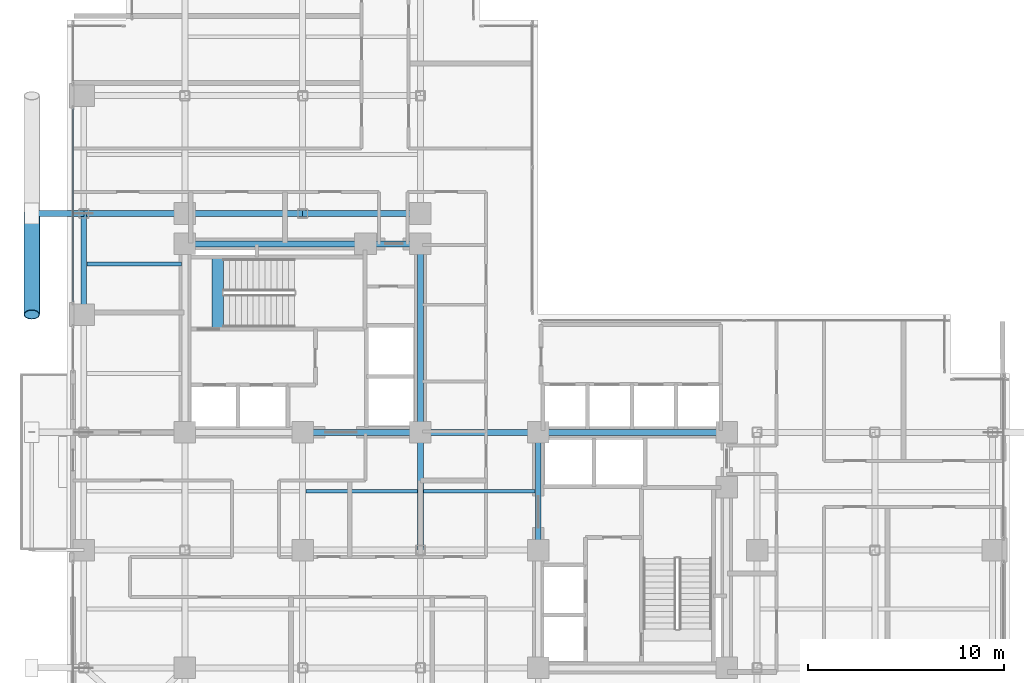
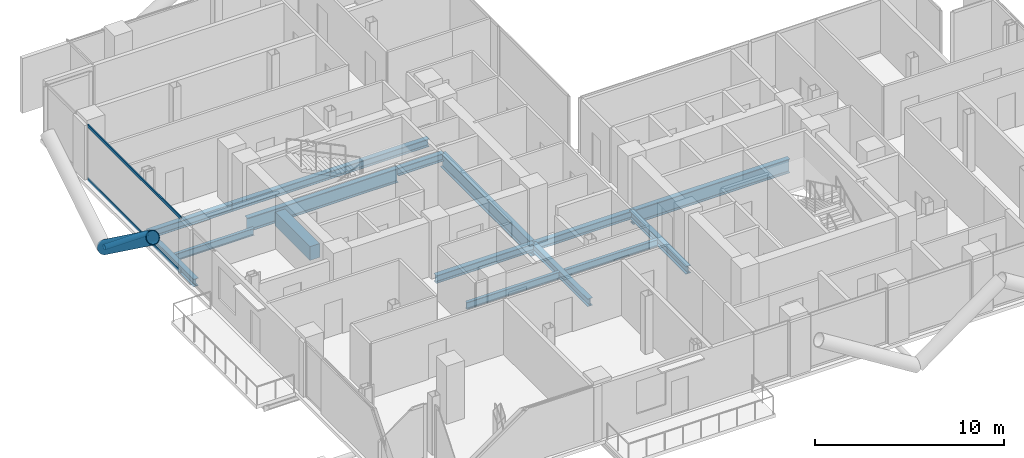
# One storey, part 7 of 24: 16 beams, 4 members, 1 element without a shape of its own.
"""IFC4 building model written with IfcOpenShell, lengths in metres."""

from ifc_helpers import new_model, si_unit, direction, frame, origin, origin_2d, place, context, subcontext, project, spatial, rectangle, hollow_rectangle, hollow_circle, i_section, extrude, material, layer, layer_set, material_profile, profile_set, type_object, element, aggregate, save


model = new_model("IFC4")

# Units and contexts
model_context = context("Model", 3, precision=1e-05, world=origin(), true_north=direction((0.0, 1.0)))
body_context = subcontext(model_context, "Body", "Model", "MODEL_VIEW")
ifc_project = project(units=[si_unit("LENGTHUNIT", "METRE"), si_unit("AREAUNIT", "SQUARE_METRE"), si_unit("VOLUMEUNIT", "CUBIC_METRE"), si_unit("PLANEANGLEUNIT", "RADIAN"), si_unit("MASSUNIT", "GRAM", prefix="KILO"), si_unit("THERMODYNAMICTEMPERATUREUNIT", "KELVIN"), si_unit("POWERUNIT", "WATT")], contexts=[model_context])

# Site, building, storey
site_placement = place(None, origin())
site = spatial("IfcSite", under=ifc_project, at=site_placement, CompositionType="ELEMENT")
building_placement = place(site_placement, origin())
building = spatial("IfcBuilding", under=site, at=building_placement, Name="Svarakhadi Broadcast Tower", CompositionType="ELEMENT")
storey_placement = place(building_placement, frame((0.0, 0.0, 126.89990234375)))
storey = spatial("IfcBuildingStorey", under=building, at=storey_placement, Name="L30", CompositionType="ELEMENT", Elevation=126.89990234375)

# Beams
ifc_material_1 = material(Name="Steel S355J2 (IS 2062 E350C)", Category="steel")
ifc_material_profile_1 = material_profile(ifc_material_1, i_section(OverallWidth=0.18994140625, OverallDepth=0.449951171875, WebThickness=0.009521484375, FlangeThickness=0.0146484375, FilletRadius=0.02099609375, at=origin_2d()), Name="NPB 450x190x78")
ifc_profile_set_1 = profile_set([ifc_material_profile_1], Name="Steel S355J2 (IS 2062 E350C)")
beam_type_1 = type_object("IfcBeamType", Name="Beam_NPB450", PredefinedType="BEAM", material=ifc_profile_set_1)
beam_1_placement = place(storey_placement, frame((1.010009765625, 26.574951171875, -0.449951171875), z_axis=(1.0, 0.0, 0.0), x_axis=(0.0, 1.0, 0.0)))
element("IfcBeam", 1, at=beam_1_placement, inside=storey, type_object=beam_type_1, Name="L30 Secondary Composite Beam SB004", PredefinedType="BEAM", context=body_context, shape_type="SweptSolid", body=[
    extrude(i_section(OverallWidth=0.18994140625, OverallDepth=0.449951171875, WebThickness=0.009521484375, FlangeThickness=0.0146484375, FilletRadius=0.02099609375, at=origin_2d()), origin(), (0.0, 0.0, 1.0), 4.830078125),
])
for number, where, z_axis, x_axis, name in (
    (2, (12.159912109375, 15.0, -0.449951171875), (1.0, 0.0, 0.0), (0.0, 1.0, 0.0), "L30 Secondary Composite Beam SB013"),
    (3, (18.159912109375, 15.0, -0.449951171875), (1.0, 0.0, 0.0), (0.0, 1.0, 0.0), "L30 Secondary Composite Beam SB018"),
):
    element("IfcBeam", number, at=place(storey_placement, frame(where, z_axis=z_axis, x_axis=x_axis)), inside=storey, type_object=beam_type_1, Name=name, PredefinedType="BEAM", context=body_context, shape_type="SweptSolid", body=[
        extrude(i_section(OverallWidth=0.18994140625, OverallDepth=0.449951171875, WebThickness=0.009521484375, FlangeThickness=0.0146484375, FilletRadius=0.02099609375, at=origin_2d()), origin(), (0.0, 0.0, 1.0), 5.68017578125),
    ])

# Curtain wall, members
ifc_material_2 = material(Name="Anodised Bronze Aluminium AA 6063-T6", Category="aluminium")
ifc_layer = layer(ifc_material_2, 0.199951171875)
ifc_layer_set = layer_set([ifc_layer], Name="Anodised Bronze Aluminium AA 6063-T6")
curtain_wall_type = type_object("IfcCurtainWallType", Name="CW_Sys_03", PredefinedType="NOTDEFINED", material=ifc_layer_set)
curtain_wall_placement = place(storey_placement, origin())
curtain_wall = element("IfcCurtainWall", 4, at=curtain_wall_placement, inside=storey, type_object=curtain_wall_type, Name="L30 West Curtain Wall 03 Bay 2", PredefinedType="NOTDEFINED")
ifc_material_profile_2 = material_profile(ifc_material_2, hollow_rectangle(XDim=0.070068359375, YDim=0.18505859375, WallThickness=0.0048828125, at=origin_2d()), Name="ALU TRANSOM 185x70x5")
ifc_profile_set_2 = profile_set([ifc_material_profile_2], Name="Anodised Bronze Aluminium AA 6063-T6")
member_type_1 = type_object("IfcMemberType", Name="CW_Sys_03_Trn", PredefinedType="USERDEFINED", material=ifc_profile_set_2)
member_1_placement = place(storey_placement, frame((0.300048828125, 24.64501953125, 0.03515625), z_axis=(0.0, 1.0, 0.0), x_axis=(-1.0, 0.0, 0.0)))
member_1 = element("IfcMember", 5, at=member_1_placement, type_object=member_type_1, Name="CW-03 transom 1.1", ObjectType="TRANSOM", PredefinedType="USERDEFINED", context=body_context, shape_type="SweptSolid", body=[
    extrude(hollow_rectangle(XDim=0.070068359375, YDim=0.18505859375, WallThickness=0.0048828125, at=origin_2d()), origin(), (0.0, 0.0, 1.0), 9.85986328125),
])
member_2_placement = place(storey_placement, frame((0.300048828125, 24.64501953125, 3.489990234375), z_axis=(0.0, 1.0, 0.0), x_axis=(-1.0, 0.0, 0.0)))
member_2 = element("IfcMember", 6, at=member_2_placement, type_object=member_type_1, Name="CW-03 transom 1.2", ObjectType="TRANSOM", PredefinedType="USERDEFINED", context=body_context, shape_type="SweptSolid", body=[
    extrude(hollow_rectangle(XDim=0.070068359375, YDim=0.18505859375, WallThickness=0.0048828125, at=origin_2d()), origin(), (0.0, 0.0, 1.0), 9.85986328125),
])
aggregate(curtain_wall, [member_1, member_2])

# Beam
ifc_material_3 = material(Name="Concrete C50/60 (IS 456 M60)", Category="concrete")
ifc_material_profile_3 = material_profile(ifc_material_3, rectangle(XDim=0.60009765625, YDim=0.89990234375, at=origin_2d()), Name="RC 600x900")
ifc_profile_set_3 = profile_set([ifc_material_profile_3], Name="Concrete C50/60 (IS 456 M60)")
beam_type_2 = type_object("IfcBeamType", Name="Coupling_RC600", PredefinedType="USERDEFINED", material=ifc_profile_set_3)
beam_2_placement = place(storey_placement, frame((7.679931640625, 23.260009765625, -0.449951171875), z_axis=(0.0, 1.0, 0.0), x_axis=(-1.0, 0.0, 0.0)))
element("IfcBeam", 7, at=beam_2_placement, inside=storey, type_object=beam_type_2, Name="L30 Stair ST-01 Landing Throat Trimmer Beam CB-01", ObjectType="GIRDER", PredefinedType="USERDEFINED", context=body_context, shape_type="SweptSolid", body=[
    extrude(rectangle(XDim=0.60009765625, YDim=0.89990234375, at=origin_2d()), origin(), (0.0, 0.0, 1.0), 3.679931640625),
])

# Members
ifc_material_4 = material(Name="Steel S460ML (IS 2062 E450BR)", Category="steel")
ifc_material_profile_4 = material_profile(ifc_material_4, hollow_circle(Radius=0.406494140625, WallThickness=0.0400390625, at=origin_2d()), Name="CHS 813x40")
ifc_profile_set_4 = profile_set([ifc_material_profile_4], Name="Steel S460ML (IS 2062 E450BR)")
member_type_2 = type_object("IfcMemberType", Name="Exo_Brace_CHS813", PredefinedType="BRACE", material=ifc_profile_set_4)
member_3_placement = place(storey_placement, frame((-1.800048828125, 29.14990234375, -0.386962890625), z_axis=(0.0, -0.808391243061, 0.588645562407), x_axis=(1.0, 0.0, 0.0)))
element("IfcMember", 8, at=member_3_placement, inside=storey, type_object=member_type_2, Name="L30 Exposed Bronze Exoskeleton Diagonal W04", PredefinedType="BRACE", context=body_context, shape_type="SweptSolid", body=[
    extrude(hollow_circle(Radius=0.406494140625, WallThickness=0.0400390625, at=origin_2d()), origin(), (0.0, 0.0, 1.0), 6.37060546875),
])
ifc_material_profile_5 = material_profile(ifc_material_4, hollow_circle(Radius=0.161865234375, WallThickness=0.01611328125, at=origin_2d()), Name="CHS 323.9x16")
ifc_profile_set_5 = profile_set([ifc_material_profile_5], Name="Steel S460ML (IS 2062 E450BR)")
member_type_3 = type_object("IfcMemberType", Name="Exo_Radial_Strut_Z2", PredefinedType="STRUT", material=ifc_profile_set_5)
member_4_placement = place(storey_placement, frame((-1.800048828125, 29.14990234375, -0.386962890625), z_axis=(1.0, 0.0, 0.0), x_axis=(0.0, 1.0, 0.0)))
element("IfcMember", 9, at=member_4_placement, inside=storey, type_object=member_type_3, Name="L30 Exoskeleton Radial Tie Strut W07", PredefinedType="STRUT", context=body_context, shape_type="SweptSolid", body=[
    extrude(hollow_circle(Radius=0.161865234375, WallThickness=0.01611328125, at=origin_2d()), origin(), (0.0, 0.0, 1.0), 2.650146484375),
])

# Beams
ifc_material_profile_6 = material_profile(ifc_material_1, i_section(OverallWidth=0.300048828125, OverallDepth=0.5, WebThickness=0.014404296875, FlangeThickness=0.028076171875, FilletRadius=0.027099609375, at=origin_2d()), Name="WPB 500x300x187")
ifc_profile_set_6 = profile_set([ifc_material_profile_6], Name="Steel S355J2 (IS 2062 E350C)")
beam_type_3 = type_object("IfcBeamType", Name="Girder_WPB500", PredefinedType="USERDEFINED", material=ifc_profile_set_6)
for number, where, z_axis, x_axis, name in (
    (10, (12.0, 18.0, -0.474853515625), (1.0, 0.0, 0.0), (0.0, 1.0, 0.0), "L30 Primary E-W Girder G025"),
    (11, (18.0, 18.0, -0.474853515625), (1.0, 0.0, 0.0), (0.0, 1.0, 0.0), "L30 Primary E-W Girder G026"),
):
    element("IfcBeam", number, at=place(storey_placement, frame(where, z_axis=z_axis, x_axis=x_axis)), inside=storey, type_object=beam_type_3, Name=name, ObjectType="GIRDER", PredefinedType="USERDEFINED", context=body_context, shape_type="SweptSolid", body=[
        extrude(i_section(OverallWidth=0.300048828125, OverallDepth=0.5, WebThickness=0.014404296875, FlangeThickness=0.028076171875, FilletRadius=0.027099609375, at=origin_2d()), origin(), (0.0, 0.0, 1.0), 6.0),
    ])
beam_3_placement = place(storey_placement, frame((15.199951171875, 27.60009765625, -0.474853515625), z_axis=(1.0, 0.0, 0.0), x_axis=(0.0, 1.0, 0.0)))
element("IfcBeam", 12, at=beam_3_placement, inside=storey, type_object=beam_type_3, Name="L30 Primary E-W Girder G031", ObjectType="GIRDER", PredefinedType="USERDEFINED", context=body_context, shape_type="SweptSolid", body=[
    extrude(i_section(OverallWidth=0.300048828125, OverallDepth=0.5, WebThickness=0.014404296875, FlangeThickness=0.028076171875, FilletRadius=0.027099609375, at=origin_2d()), origin(), (0.0, 0.0, 1.0), 2.800048828125),
])
beam_4_placement = place(storey_placement, frame((0.85009765625, 29.14990234375, -0.474853515625), z_axis=(1.0, 0.0, 0.0), x_axis=(0.0, 1.0, 0.0)))
element("IfcBeam", 13, at=beam_4_placement, inside=storey, type_object=beam_type_3, Name="L30 Primary E-W Girder G032", ObjectType="GIRDER", PredefinedType="USERDEFINED", context=body_context, shape_type="SweptSolid", body=[
    extrude(i_section(OverallWidth=0.300048828125, OverallDepth=0.5, WebThickness=0.014404296875, FlangeThickness=0.028076171875, FilletRadius=0.027099609375, at=origin_2d()), origin(), (0.0, 0.0, 1.0), 5.14990234375),
])
for number, where, z_axis, x_axis, name in (
    (14, (6.0, 29.14990234375, -0.474853515625), (1.0, 0.0, 0.0), (0.0, 1.0, 0.0), "L30 Primary E-W Girder G033"),
    (15, (12.0, 29.14990234375, -0.474853515625), (1.0, 0.0, 0.0), (0.0, 1.0, 0.0), "L30 Primary E-W Girder G034"),
):
    element("IfcBeam", number, at=place(storey_placement, frame(where, z_axis=z_axis, x_axis=x_axis)), inside=storey, type_object=beam_type_3, Name=name, ObjectType="GIRDER", PredefinedType="USERDEFINED", context=body_context, shape_type="SweptSolid", body=[
        extrude(i_section(OverallWidth=0.300048828125, OverallDepth=0.5, WebThickness=0.014404296875, FlangeThickness=0.028076171875, FilletRadius=0.027099609375, at=origin_2d()), origin(), (0.0, 0.0, 1.0), 6.0),
    ])
beam_5_placement = place(storey_placement, frame((0.85009765625, 24.0, -0.474853515625), z_axis=(0.0, 1.0, 0.0), x_axis=(-1.0, 0.0, 0.0)))
element("IfcBeam", 16, at=beam_5_placement, inside=storey, type_object=beam_type_3, Name="L30 Primary N-S Girder G043", ObjectType="GIRDER", PredefinedType="USERDEFINED", context=body_context, shape_type="SweptSolid", body=[
    extrude(i_section(OverallWidth=0.300048828125, OverallDepth=0.5, WebThickness=0.014404296875, FlangeThickness=0.028076171875, FilletRadius=0.027099609375, at=origin_2d()), origin(), (0.0, 0.0, 1.0), 5.14990234375),
])
for number, where, z_axis, x_axis, name in (
    (17, (18.0, 12.0, -0.474853515625), (0.0, 1.0, 0.0), (-1.0, 0.0, 0.0), "L30 Primary N-S Girder G058"),
    (18, (24.0, 12.0, -0.474853515625), (0.0, 1.0, 0.0), (-1.0, 0.0, 0.0), "L30 Primary N-S Girder G064"),
):
    element("IfcBeam", number, at=place(storey_placement, frame(where, z_axis=z_axis, x_axis=x_axis)), inside=storey, type_object=beam_type_3, Name=name, ObjectType="GIRDER", PredefinedType="USERDEFINED", context=body_context, shape_type="SweptSolid", body=[
        extrude(i_section(OverallWidth=0.300048828125, OverallDepth=0.5, WebThickness=0.014404296875, FlangeThickness=0.028076171875, FilletRadius=0.027099609375, at=origin_2d()), origin(), (0.0, 0.0, 1.0), 6.0),
    ])
ifc_material_profile_7 = material_profile(ifc_material_4, i_section(OverallWidth=0.300048828125, OverallDepth=0.89990234375, WebThickness=0.0185546875, FlangeThickness=0.034912109375, FilletRadius=0.030029296875, at=origin_2d()), Name="WPB 900x300x291")
ifc_profile_set_7 = profile_set([ifc_material_profile_7], Name="Steel S460ML (IS 2062 E450BR)")
beam_type_4 = type_object("IfcBeamType", Name="Girder_WPB900", PredefinedType="USERDEFINED", material=ifc_profile_set_7)
beam_6_placement = place(storey_placement, frame((24.0, 18.0, -0.6748046875), z_axis=(1.0, 0.0, 0.0), x_axis=(0.0, 1.0, 0.0)))
element("IfcBeam", 19, at=beam_6_placement, inside=storey, type_object=beam_type_4, Name="L30 Primary E-W Girder G027", ObjectType="GIRDER", PredefinedType="USERDEFINED", context=body_context, shape_type="SweptSolid", body=[
    extrude(i_section(OverallWidth=0.300048828125, OverallDepth=0.89990234375, WebThickness=0.0185546875, FlangeThickness=0.034912109375, FilletRadius=0.030029296875, at=origin_2d()), origin(), (0.0, 0.0, 1.0), 9.60009765625),
])
beam_7_placement = place(storey_placement, frame((6.0, 27.60009765625, -0.6748046875), z_axis=(1.0, 0.0, 0.0), x_axis=(0.0, 1.0, 0.0)))
element("IfcBeam", 20, at=beam_7_placement, inside=storey, type_object=beam_type_4, Name="L30 Primary E-W Girder G030", ObjectType="GIRDER", PredefinedType="USERDEFINED", context=body_context, shape_type="SweptSolid", body=[
    extrude(i_section(OverallWidth=0.300048828125, OverallDepth=0.89990234375, WebThickness=0.0185546875, FlangeThickness=0.034912109375, FilletRadius=0.030029296875, at=origin_2d()), origin(), (0.0, 0.0, 1.0), 9.199951171875),
])
beam_8_placement = place(storey_placement, frame((18.0, 18.0, -0.6748046875), z_axis=(0.0, 1.0, 0.0), x_axis=(-1.0, 0.0, 0.0)))
element("IfcBeam", 21, at=beam_8_placement, inside=storey, type_object=beam_type_4, Name="L30 Primary N-S Girder G059", ObjectType="GIRDER", PredefinedType="USERDEFINED", context=body_context, shape_type="SweptSolid", body=[
    extrude(i_section(OverallWidth=0.300048828125, OverallDepth=0.89990234375, WebThickness=0.0185546875, FlangeThickness=0.034912109375, FilletRadius=0.030029296875, at=origin_2d()), origin(), (0.0, 0.0, 1.0), 9.60009765625),
])

save(model, "model.ifc")
